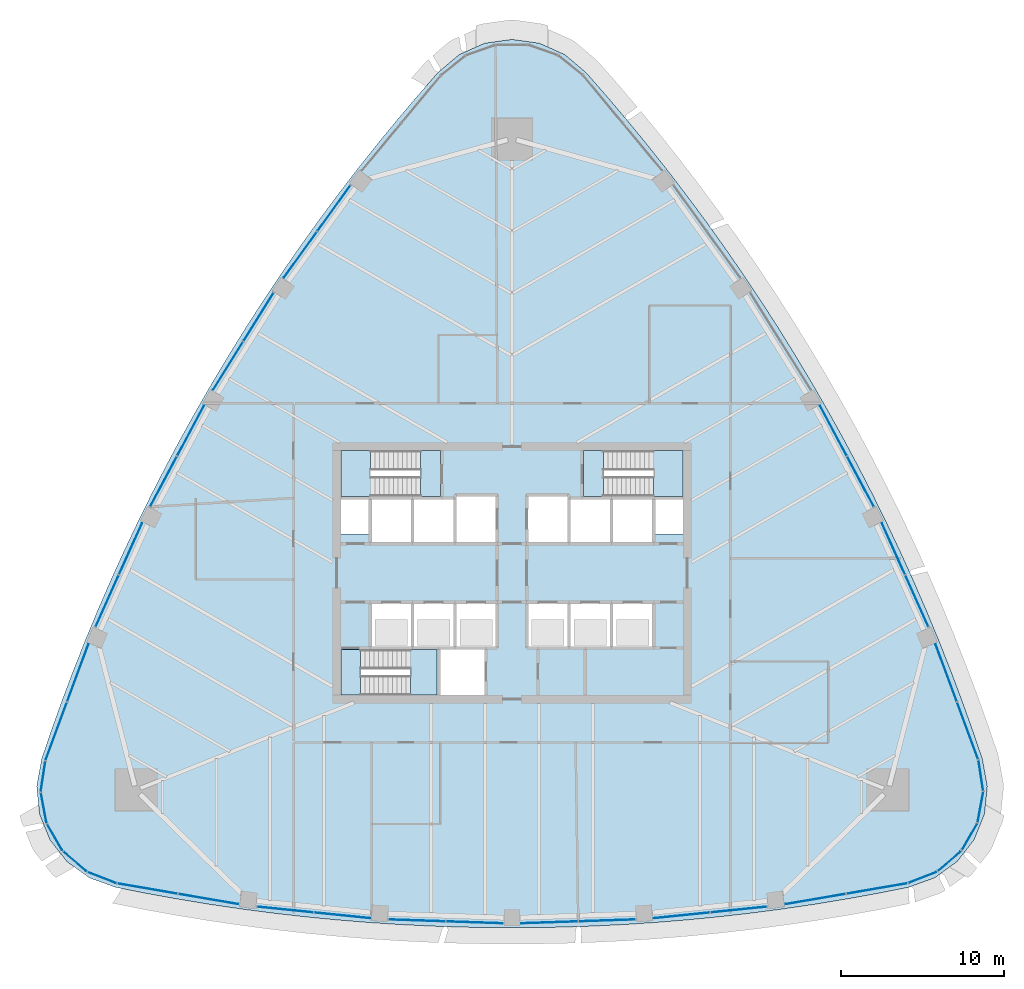
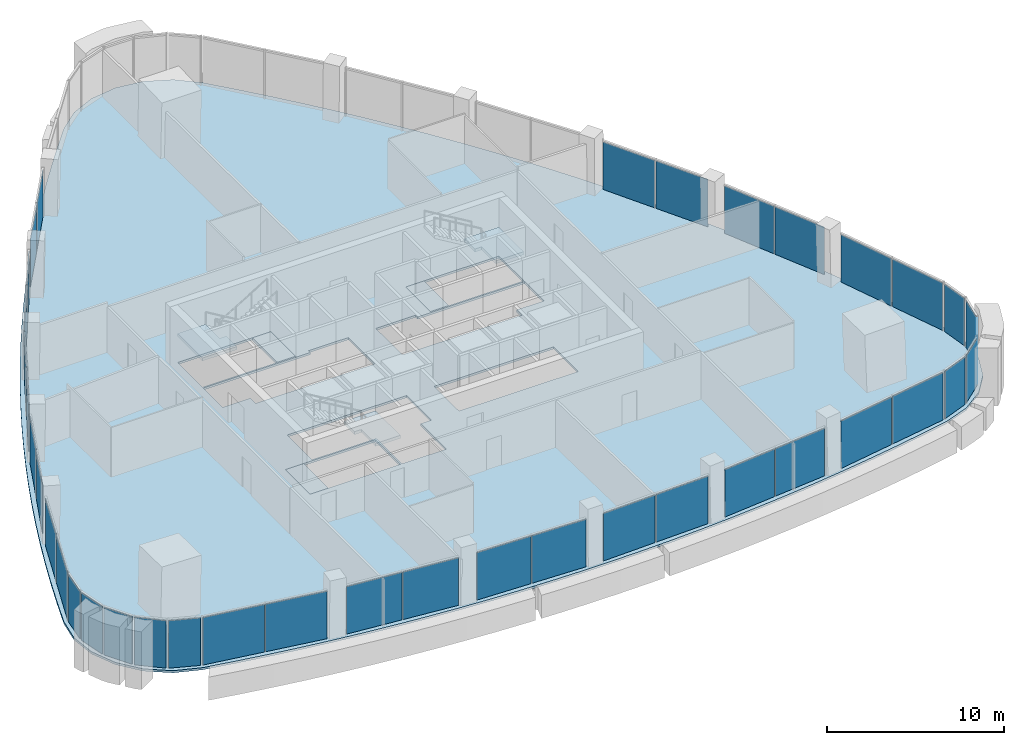
# One storey, part 8 of 16: 38 plates, 7 slabs, 27 elements without a shape of their own.
"""IFC4 building model written with IfcOpenShell, lengths in metres."""

from ifc_helpers import new_model, si_unit, direction, frame, origin, origin_2d, place, context, subcontext, project, spatial, polyline, rectangle, outline, extrude, material, layer, layer_set, type_object, element, aggregate, save


model = new_model("IFC4")

# Units and contexts
model_context = context("Model", 3, precision=1e-05, world=origin(), true_north=direction((0.0, 1.0)))
body_context = subcontext(model_context, "Body", "Model", "MODEL_VIEW")
ifc_project = project(units=[si_unit("LENGTHUNIT", "METRE"), si_unit("AREAUNIT", "SQUARE_METRE"), si_unit("VOLUMEUNIT", "CUBIC_METRE"), si_unit("PLANEANGLEUNIT", "RADIAN"), si_unit("MASSUNIT", "GRAM", prefix="KILO")], contexts=[model_context])

# Site, building, storey
site_placement = place(None, origin())
site = spatial("IfcSite", under=ifc_project, at=site_placement, CompositionType="ELEMENT")
building_placement = place(site_placement, origin())
building = spatial("IfcBuilding", under=site, at=building_placement, Name="Sierra Prisma Convention Tower", CompositionType="ELEMENT")
storey_placement = place(building_placement, frame((0.0, 0.0, 197.800048828125)))
storey = spatial("IfcBuildingStorey", under=building, at=storey_placement, Name="L44", CompositionType="ELEMENT", Elevation=197.800048828125)

# Curtain wall, plates
ifc_material_1 = material(Name="Aluminium and glass curtain wall", Category="aluminium")
ifc_layer_1 = layer(ifc_material_1, 0.179931640625)
ifc_layer_set_1 = layer_set([ifc_layer_1], Name="CW-1 Plain shaft curtain wall")
curtain_wall_type = type_object("IfcCurtainWallType", Name="CW-1 Plain shaft curtain wall", PredefinedType="NOTDEFINED", material=ifc_layer_set_1)
curtain_wall_1_placement = place(storey_placement, origin())
curtain_wall_1 = element("IfcCurtainWall", 1, at=curtain_wall_1_placement, inside=storey, type_object=curtain_wall_type, Name="CW-1 S1 L44", PredefinedType="NOTDEFINED")
ifc_material_2 = material(Name="Tinted glass bronze-grey IGU", Category="glass")
ifc_layer_2 = layer(ifc_material_2, 0.028076171875)
ifc_layer_set_2 = layer_set([ifc_layer_2], Name="CW-1 glass panel")
plate_type = type_object("IfcPlateType", Name="CW-1 glass panel", PredefinedType="CURTAIN_PANEL", material=ifc_layer_set_2)
plate_1_placement = place(storey_placement, frame((-22.35400390625, -19.36279296875, 0.0), z_axis=(0.0, 0.0, 1.0), x_axis=(0.985669671436, -0.168686984713, 0.0)))
plate_1 = element("IfcPlate", 2, at=plate_1_placement, type_object=plate_type, Name="CW-1 panel S1.1", PredefinedType="CURTAIN_PANEL", context=body_context, shape_type="SweptSolid", body=[
    extrude(rectangle(XDim=3.714599609375, YDim=0.028076171875, at=origin_2d()), origin(), (0.0, 0.0, 1.0), 3.280029296875),
])
plate_2_placement = place(storey_placement, frame((-18.623779296875, -20.001220703125, 0.0), z_axis=(0.0, 0.0, 1.0), x_axis=(0.985669671436, -0.168686984713, 0.0)))
plate_2 = element("IfcPlate", 3, at=plate_2_placement, type_object=plate_type, Name="CW-1 panel S1.2", PredefinedType="CURTAIN_PANEL", context=body_context, shape_type="SweptSolid", body=[
    extrude(rectangle(XDim=3.714599609375, YDim=0.028076171875, at=origin_2d()), origin(), (0.0, 0.0, 1.0), 3.280029296875),
])
aggregate(curtain_wall_1, [plate_1, plate_2])

curtain_wall_2_placement = place(storey_placement, origin())
curtain_wall_2 = element("IfcCurtainWall", 4, at=curtain_wall_2_placement, inside=storey, type_object=curtain_wall_type, Name="CW-1 S2 L44", PredefinedType="NOTDEFINED")
plate_3_placement = place(storey_placement, frame((-13.90771484375, -20.647705078125, 0.0), z_axis=(0.0, 0.0, 1.0), x_axis=(0.994833168413, -0.101523233919, 0.0)))
plate_3 = element("IfcPlate", 5, at=plate_3_placement, type_object=plate_type, Name="CW-1 panel S2.1", PredefinedType="CURTAIN_PANEL", context=body_context, shape_type="SweptSolid", body=[
    extrude(rectangle(XDim=3.4423828125, YDim=0.028076171875, at=origin_2d()), origin(), (0.0, 0.0, 1.0), 3.280029296875),
])
plate_4_placement = place(storey_placement, frame((-10.41357421875, -21.00439453125, 0.0), z_axis=(0.0, 0.0, 1.0), x_axis=(0.994833168413, -0.101523233919, 0.0)))
plate_4 = element("IfcPlate", 6, at=plate_4_placement, type_object=plate_type, Name="CW-1 panel S2.2", PredefinedType="CURTAIN_PANEL", context=body_context, shape_type="SweptSolid", body=[
    extrude(rectangle(XDim=3.4423828125, YDim=0.028076171875, at=origin_2d()), origin(), (0.0, 0.0, 1.0), 3.280029296875),
])
aggregate(curtain_wall_2, [plate_3, plate_4])

curtain_wall_3_placement = place(storey_placement, origin())
curtain_wall_3 = element("IfcCurtainWall", 7, at=curtain_wall_3_placement, inside=storey, type_object=curtain_wall_type, Name="CW-1 S3 L44", PredefinedType="NOTDEFINED")
plate_5_placement = place(storey_placement, frame((-5.82421875, -21.3154296875, 0.0), z_axis=(0.0, 0.0, 1.0), x_axis=(0.999425467569, -0.033892990048, 0.0)))
plate_5 = element("IfcPlate", 8, at=plate_5_placement, type_object=plate_type, Name="CW-1 panel S3.1", PredefinedType="CURTAIN_PANEL", context=body_context, shape_type="SweptSolid", body=[
    extrude(rectangle(XDim=3.458251953125, YDim=0.028076171875, at=origin_2d()), origin(), (0.0, 0.0, 1.0), 3.280029296875),
])
plate_6_placement = place(storey_placement, frame((-2.2978515625, -21.434814453125, 0.0), z_axis=(0.0, 0.0, 1.0), x_axis=(0.999425467569, -0.033892990048, 0.0)))
plate_6 = element("IfcPlate", 9, at=plate_6_placement, type_object=plate_type, Name="CW-1 panel S3.2", PredefinedType="CURTAIN_PANEL", context=body_context, shape_type="SweptSolid", body=[
    extrude(rectangle(XDim=3.458251953125, YDim=0.028076171875, at=origin_2d()), origin(), (0.0, 0.0, 1.0), 3.280029296875),
])
aggregate(curtain_wall_3, [plate_5, plate_6])

curtain_wall_4_placement = place(storey_placement, origin())
curtain_wall_4 = element("IfcCurtainWall", 10, at=curtain_wall_4_placement, inside=storey, type_object=curtain_wall_type, Name="CW-1 S4 L44", PredefinedType="NOTDEFINED")
plate_7_placement = place(storey_placement, frame((2.2978515625, -21.434814453125, 0.0), z_axis=(0.0, 0.0, 1.0), x_axis=(0.999425467569, 0.033892990048, 0.0)))
plate_7 = element("IfcPlate", 11, at=plate_7_placement, type_object=plate_type, Name="CW-1 panel S4.1", PredefinedType="CURTAIN_PANEL", context=body_context, shape_type="SweptSolid", body=[
    extrude(rectangle(XDim=3.458251953125, YDim=0.028076171875, at=origin_2d()), origin(), (0.0, 0.0, 1.0), 3.280029296875),
])
plate_8_placement = place(storey_placement, frame((5.82421875, -21.3154296875, 0.0), z_axis=(0.0, 0.0, 1.0), x_axis=(0.999425467569, 0.033892990048, 0.0)))
plate_8 = element("IfcPlate", 12, at=plate_8_placement, type_object=plate_type, Name="CW-1 panel S4.2", PredefinedType="CURTAIN_PANEL", context=body_context, shape_type="SweptSolid", body=[
    extrude(rectangle(XDim=3.458251953125, YDim=0.028076171875, at=origin_2d()), origin(), (0.0, 0.0, 1.0), 3.280029296875),
])
aggregate(curtain_wall_4, [plate_7, plate_8])

curtain_wall_5_placement = place(storey_placement, origin())
curtain_wall_5 = element("IfcCurtainWall", 13, at=curtain_wall_5_placement, inside=storey, type_object=curtain_wall_type, Name="CW-1 S5 L44", PredefinedType="NOTDEFINED")
plate_9_placement = place(storey_placement, frame((10.41357421875, -21.00439453125, 0.0), z_axis=(0.0, 0.0, 1.0), x_axis=(0.994833168413, 0.101523233919, 0.0)))
plate_9 = element("IfcPlate", 14, at=plate_9_placement, type_object=plate_type, Name="CW-1 panel S5.1", PredefinedType="CURTAIN_PANEL", context=body_context, shape_type="SweptSolid", body=[
    extrude(rectangle(XDim=3.4423828125, YDim=0.028076171875, at=origin_2d()), origin(), (0.0, 0.0, 1.0), 3.280029296875),
])
plate_10_placement = place(storey_placement, frame((13.90771484375, -20.647705078125, 0.0), z_axis=(0.0, 0.0, 1.0), x_axis=(0.994833168413, 0.101523233919, 0.0)))
plate_10 = element("IfcPlate", 15, at=plate_10_placement, type_object=plate_type, Name="CW-1 panel S5.2", PredefinedType="CURTAIN_PANEL", context=body_context, shape_type="SweptSolid", body=[
    extrude(rectangle(XDim=3.4423828125, YDim=0.028076171875, at=origin_2d()), origin(), (0.0, 0.0, 1.0), 3.280029296875),
])
aggregate(curtain_wall_5, [plate_9, plate_10])

curtain_wall_6_placement = place(storey_placement, origin())
curtain_wall_6 = element("IfcCurtainWall", 16, at=curtain_wall_6_placement, inside=storey, type_object=curtain_wall_type, Name="CW-1 S6 L44", PredefinedType="NOTDEFINED")
plate_11_placement = place(storey_placement, frame((18.623779296875, -20.001220703125, 0.0), z_axis=(0.0, 0.0, 1.0), x_axis=(0.985669671436, 0.168686984713, 0.0)))
plate_11 = element("IfcPlate", 17, at=plate_11_placement, type_object=plate_type, Name="CW-1 panel S6.1", PredefinedType="CURTAIN_PANEL", context=body_context, shape_type="SweptSolid", body=[
    extrude(rectangle(XDim=3.714599609375, YDim=0.028076171875, at=origin_2d()), origin(), (0.0, 0.0, 1.0), 3.280029296875),
])
plate_12_placement = place(storey_placement, frame((22.35400390625, -19.36279296875, 0.0), z_axis=(0.0, 0.0, 1.0), x_axis=(0.985669671436, 0.168686984713, 0.0)))
plate_12 = element("IfcPlate", 18, at=plate_12_placement, type_object=plate_type, Name="CW-1 panel S6.2", PredefinedType="CURTAIN_PANEL", context=body_context, shape_type="SweptSolid", body=[
    extrude(rectangle(XDim=3.714599609375, YDim=0.028076171875, at=origin_2d()), origin(), (0.0, 0.0, 1.0), 3.280029296875),
])
aggregate(curtain_wall_6, [plate_11, plate_12])

# Curtain wall, plate
curtain_wall_7_placement = place(storey_placement, origin())
curtain_wall_7 = element("IfcCurtainWall", 19, at=curtain_wall_7_placement, inside=storey, type_object=curtain_wall_type, Name="CW-1 SE1 L44", PredefinedType="NOTDEFINED")
plate_13_placement = place(storey_placement, frame((25.166748046875, -18.681396484375, 0.0), z_axis=(0.0, 0.0, 1.0), x_axis=(0.931545163438, 0.363625643314, 0.0)))
plate_13 = element("IfcPlate", 20, at=plate_13_placement, type_object=plate_type, Name="CW-1 panel SE1.1", PredefinedType="CURTAIN_PANEL", context=body_context, shape_type="SweptSolid", body=[
    extrude(rectangle(XDim=1.8203125, YDim=0.028076171875, at=origin_2d()), origin(), (0.0, 0.0, 1.0), 3.280029296875),
])
aggregate(curtain_wall_7, [plate_13])

curtain_wall_8_placement = place(storey_placement, origin())
curtain_wall_8 = element("IfcCurtainWall", 21, at=curtain_wall_8_placement, inside=storey, type_object=curtain_wall_type, Name="CW-1 SE2 L44", PredefinedType="NOTDEFINED")
plate_14_placement = place(storey_placement, frame((26.823486328125, -17.686279296875, 0.0), z_axis=(0.0, 0.0, 1.0), x_axis=(0.758572190744, 0.651589004994, 0.0)))
plate_14 = element("IfcPlate", 22, at=plate_14_placement, type_object=plate_type, Name="CW-1 panel SE2.1", PredefinedType="CURTAIN_PANEL", context=body_context, shape_type="SweptSolid", body=[
    extrude(rectangle(XDim=1.8203125, YDim=0.028076171875, at=origin_2d()), origin(), (0.0, 0.0, 1.0), 3.280029296875),
])
aggregate(curtain_wall_8, [plate_14])

curtain_wall_9_placement = place(storey_placement, origin())
curtain_wall_9 = element("IfcCurtainWall", 23, at=curtain_wall_9_placement, inside=storey, type_object=curtain_wall_type, Name="CW-1 SE3 L44", PredefinedType="NOTDEFINED")
plate_15_placement = place(storey_placement, frame((28.05712890625, -16.19873046875, 0.0), z_axis=(0.0, 0.0, 1.0), x_axis=(0.5, 0.866025403784, 0.0)))
plate_15 = element("IfcPlate", 24, at=plate_15_placement, type_object=plate_type, Name="CW-1 panel SE3.1", PredefinedType="CURTAIN_PANEL", context=body_context, shape_type="SweptSolid", body=[
    extrude(rectangle(XDim=1.8203125, YDim=0.028076171875, at=origin_2d()), origin(), (0.0, 0.0, 1.0), 3.280029296875),
])
aggregate(curtain_wall_9, [plate_15])

curtain_wall_10_placement = place(storey_placement, origin())
curtain_wall_10 = element("IfcCurtainWall", 25, at=curtain_wall_10_placement, inside=storey, type_object=curtain_wall_type, Name="CW-1 SE4 L44", PredefinedType="NOTDEFINED")
plate_16_placement = place(storey_placement, frame((28.728515625, -14.38671875, 0.0), z_axis=(0.0, 0.0, 1.0), x_axis=(0.185006535779, 0.982737290286, 0.0)))
plate_16 = element("IfcPlate", 26, at=plate_16_placement, type_object=plate_type, Name="CW-1 panel SE4.1", PredefinedType="CURTAIN_PANEL", context=body_context, shape_type="SweptSolid", body=[
    extrude(rectangle(XDim=1.8203125, YDim=0.028076171875, at=origin_2d()), origin(), (0.0, 0.0, 1.0), 3.280029296875),
])
aggregate(curtain_wall_10, [plate_16])

curtain_wall_11_placement = place(storey_placement, origin())
curtain_wall_11 = element("IfcCurtainWall", 27, at=curtain_wall_11_placement, inside=storey, type_object=curtain_wall_type, Name="CW-1 SE5 L44", PredefinedType="NOTDEFINED")
plate_17_placement = place(storey_placement, frame((28.761962890625, -12.454345703125, 0.0), z_axis=(0.0, 0.0, 1.0), x_axis=(-0.150863537142, 0.988554597967, 0.0)))
plate_17 = element("IfcPlate", 28, at=plate_17_placement, type_object=plate_type, Name="CW-1 panel SE5.1", PredefinedType="CURTAIN_PANEL", context=body_context, shape_type="SweptSolid", body=[
    extrude(rectangle(XDim=1.8203125, YDim=0.028076171875, at=origin_2d()), origin(), (0.0, 0.0, 1.0), 3.280029296875),
])
aggregate(curtain_wall_11, [plate_17])

# Curtain wall, plates
curtain_wall_12_placement = place(storey_placement, origin())
curtain_wall_12 = element("IfcCurtainWall", 29, at=curtain_wall_12_placement, inside=storey, type_object=curtain_wall_type, Name="CW-1 NE1 L44", PredefinedType="NOTDEFINED")
plate_18_placement = place(storey_placement, frame((27.94580078125, -9.677734375, 0.0), z_axis=(0.0, 0.0, 1.0), x_axis=(-0.346747621669, 0.93795846756, 0.0)))
plate_18 = element("IfcPlate", 30, at=plate_18_placement, type_object=plate_type, Name="CW-1 panel NE1.1", PredefinedType="CURTAIN_PANEL", context=body_context, shape_type="SweptSolid", body=[
    extrude(rectangle(XDim=3.714599609375, YDim=0.028076171875, at=origin_2d()), origin(), (0.0, 0.0, 1.0), 3.280029296875),
])
plate_19_placement = place(storey_placement, frame((26.633544921875, -6.128173828125, 0.0), z_axis=(0.0, 0.0, 1.0), x_axis=(-0.346747621669, 0.93795846756, 0.0)))
plate_19 = element("IfcPlate", 31, at=plate_19_placement, type_object=plate_type, Name="CW-1 panel NE1.2", PredefinedType="CURTAIN_PANEL", context=body_context, shape_type="SweptSolid", body=[
    extrude(rectangle(XDim=3.714599609375, YDim=0.028076171875, at=origin_2d()), origin(), (0.0, 0.0, 1.0), 3.280029296875),
])
aggregate(curtain_wall_12, [plate_18, plate_19])

curtain_wall_13_placement = place(storey_placement, origin())
curtain_wall_13 = element("IfcCurtainWall", 32, at=curtain_wall_13_placement, inside=storey, type_object=curtain_wall_type, Name="CW-1 NE2 L44", PredefinedType="NOTDEFINED")
plate_20_placement = place(storey_placement, frame((24.83544921875, -1.720703125, 0.0), z_axis=(0.0, 0.0, 1.0), x_axis=(-0.409494884559, 0.912312413332, 0.0)))
plate_20 = element("IfcPlate", 33, at=plate_20_placement, type_object=plate_type, Name="CW-1 panel NE2.1", PredefinedType="CURTAIN_PANEL", context=body_context, shape_type="SweptSolid", body=[
    extrude(rectangle(XDim=3.4423828125, YDim=0.028076171875, at=origin_2d()), origin(), (0.0, 0.0, 1.0), 3.280029296875),
])
plate_21_placement = place(storey_placement, frame((23.397216796875, 1.483642578125, 0.0), z_axis=(0.0, 0.0, 1.0), x_axis=(-0.409494884559, 0.912312413332, 0.0)))
plate_21 = element("IfcPlate", 34, at=plate_21_placement, type_object=plate_type, Name="CW-1 panel NE2.2", PredefinedType="CURTAIN_PANEL", context=body_context, shape_type="SweptSolid", body=[
    extrude(rectangle(XDim=3.4423828125, YDim=0.028076171875, at=origin_2d()), origin(), (0.0, 0.0, 1.0), 3.280029296875),
])
aggregate(curtain_wall_13, [plate_20, plate_21])

curtain_wall_14_placement = place(storey_placement, origin())
curtain_wall_14 = element("IfcCurtainWall", 35, at=curtain_wall_14_placement, inside=storey, type_object=curtain_wall_type, Name="CW-1 NE3 L44", PredefinedType="NOTDEFINED")
plate_22_placement = place(storey_placement, frame((21.371826171875, 5.61376953125, 0.0), z_axis=(0.0, 0.0, 1.0), x_axis=(-0.470360543393, 0.882474339128, 0.0)))
plate_22 = element("IfcPlate", 36, at=plate_22_placement, type_object=plate_type, Name="CW-1 panel NE3.1", PredefinedType="CURTAIN_PANEL", context=body_context, shape_type="SweptSolid", body=[
    extrude(rectangle(XDim=3.45849609375, YDim=0.028076171875, at=origin_2d()), origin(), (0.0, 0.0, 1.0), 3.280029296875),
])
plate_23_placement = place(storey_placement, frame((19.712158203125, 8.7275390625, 0.0), z_axis=(0.0, 0.0, 1.0), x_axis=(-0.470360543393, 0.882474339128, 0.0)))
plate_23 = element("IfcPlate", 37, at=plate_23_placement, type_object=plate_type, Name="CW-1 panel NE3.2", PredefinedType="CURTAIN_PANEL", context=body_context, shape_type="SweptSolid", body=[
    extrude(rectangle(XDim=3.45849609375, YDim=0.028076171875, at=origin_2d()), origin(), (0.0, 0.0, 1.0), 3.280029296875),
])
aggregate(curtain_wall_14, [plate_22, plate_23])

curtain_wall_15_placement = place(storey_placement, origin())
curtain_wall_15 = element("IfcCurtainWall", 38, at=curtain_wall_15_placement, inside=storey, type_object=curtain_wall_type, Name="CW-1 NW2 L44", PredefinedType="NOTDEFINED")
plate_24_placement = place(storey_placement, frame((-10.927734375, 22.368408203125, 0.0), z_axis=(0.0, 0.0, 1.0), x_axis=(-0.585338283855, -0.810789179414, 0.0)))
plate_24 = element("IfcPlate", 39, at=plate_24_placement, type_object=plate_type, Name="CW-1 panel NW2.1", PredefinedType="CURTAIN_PANEL", context=body_context, shape_type="SweptSolid", body=[
    extrude(rectangle(XDim=3.4423828125, YDim=0.028076171875, at=origin_2d()), origin(), (0.0, 0.0, 1.0), 3.280029296875),
])
plate_25_placement = place(storey_placement, frame((-12.9833984375, 19.520751953125, 0.0), z_axis=(0.0, 0.0, 1.0), x_axis=(-0.585338283855, -0.810789179414, 0.0)))
plate_25 = element("IfcPlate", 40, at=plate_25_placement, type_object=plate_type, Name="CW-1 panel NW2.2", PredefinedType="CURTAIN_PANEL", context=body_context, shape_type="SweptSolid", body=[
    extrude(rectangle(XDim=3.4423828125, YDim=0.028076171875, at=origin_2d()), origin(), (0.0, 0.0, 1.0), 3.280029296875),
])
aggregate(curtain_wall_15, [plate_24, plate_25])

curtain_wall_16_placement = place(storey_placement, origin())
curtain_wall_16 = element("IfcCurtainWall", 41, at=curtain_wall_16_placement, inside=storey, type_object=curtain_wall_type, Name="CW-1 NW3 L44", PredefinedType="NOTDEFINED")
plate_26_placement = place(storey_placement, frame((-15.547607421875, 15.701416015625, 0.0), z_axis=(0.0, 0.0, 1.0), x_axis=(-0.529064924176, -0.84858134908, 0.0)))
plate_26 = element("IfcPlate", 42, at=plate_26_placement, type_object=plate_type, Name="CW-1 panel NW3.1", PredefinedType="CURTAIN_PANEL", context=body_context, shape_type="SweptSolid", body=[
    extrude(rectangle(XDim=3.458251953125, YDim=0.028076171875, at=origin_2d()), origin(), (0.0, 0.0, 1.0), 3.280029296875),
])
plate_27_placement = place(storey_placement, frame((-17.414306640625, 12.70751953125, 0.0), z_axis=(0.0, 0.0, 1.0), x_axis=(-0.529064924176, -0.84858134908, 0.0)))
plate_27 = element("IfcPlate", 43, at=plate_27_placement, type_object=plate_type, Name="CW-1 panel NW3.2", PredefinedType="CURTAIN_PANEL", context=body_context, shape_type="SweptSolid", body=[
    extrude(rectangle(XDim=3.458251953125, YDim=0.028076171875, at=origin_2d()), origin(), (0.0, 0.0, 1.0), 3.280029296875),
])
aggregate(curtain_wall_16, [plate_26, plate_27])

curtain_wall_17_placement = place(storey_placement, origin())
curtain_wall_17 = element("IfcCurtainWall", 44, at=curtain_wall_17_placement, inside=storey, type_object=curtain_wall_type, Name="CW-1 NW4 L44", PredefinedType="NOTDEFINED")
plate_28_placement = place(storey_placement, frame((-19.712158203125, 8.7275390625, 0.0), z_axis=(0.0, 0.0, 1.0), x_axis=(-0.470360543393, -0.882474339128, 0.0)))
plate_28 = element("IfcPlate", 45, at=plate_28_placement, type_object=plate_type, Name="CW-1 panel NW4.1", PredefinedType="CURTAIN_PANEL", context=body_context, shape_type="SweptSolid", body=[
    extrude(rectangle(XDim=3.458251953125, YDim=0.028076171875, at=origin_2d()), origin(), (0.0, 0.0, 1.0), 3.280029296875),
])
plate_29_placement = place(storey_placement, frame((-21.37158203125, 5.61376953125, 0.0), z_axis=(0.0, 0.0, 1.0), x_axis=(-0.470360543393, -0.882474339128, 0.0)))
plate_29 = element("IfcPlate", 46, at=plate_29_placement, type_object=plate_type, Name="CW-1 panel NW4.2", PredefinedType="CURTAIN_PANEL", context=body_context, shape_type="SweptSolid", body=[
    extrude(rectangle(XDim=3.458251953125, YDim=0.028076171875, at=origin_2d()), origin(), (0.0, 0.0, 1.0), 3.280029296875),
])
aggregate(curtain_wall_17, [plate_28, plate_29])

curtain_wall_18_placement = place(storey_placement, origin())
curtain_wall_18 = element("IfcCurtainWall", 47, at=curtain_wall_18_placement, inside=storey, type_object=curtain_wall_type, Name="CW-1 NW5 L44", PredefinedType="NOTDEFINED")
plate_30_placement = place(storey_placement, frame((-23.397216796875, 1.483642578125, 0.0), z_axis=(0.0, 0.0, 1.0), x_axis=(-0.409494884559, -0.912312413332, 0.0)))
plate_30 = element("IfcPlate", 48, at=plate_30_placement, type_object=plate_type, Name="CW-1 panel NW5.1", PredefinedType="CURTAIN_PANEL", context=body_context, shape_type="SweptSolid", body=[
    extrude(rectangle(XDim=3.4423828125, YDim=0.028076171875, at=origin_2d()), origin(), (0.0, 0.0, 1.0), 3.280029296875),
])
plate_31_placement = place(storey_placement, frame((-24.83544921875, -1.720703125, 0.0), z_axis=(0.0, 0.0, 1.0), x_axis=(-0.409494884559, -0.912312413332, 0.0)))
plate_31 = element("IfcPlate", 49, at=plate_31_placement, type_object=plate_type, Name="CW-1 panel NW5.2", PredefinedType="CURTAIN_PANEL", context=body_context, shape_type="SweptSolid", body=[
    extrude(rectangle(XDim=3.4423828125, YDim=0.028076171875, at=origin_2d()), origin(), (0.0, 0.0, 1.0), 3.280029296875),
])
aggregate(curtain_wall_18, [plate_30, plate_31])

curtain_wall_19_placement = place(storey_placement, origin())
curtain_wall_19 = element("IfcCurtainWall", 50, at=curtain_wall_19_placement, inside=storey, type_object=curtain_wall_type, Name="CW-1 NW6 L44", PredefinedType="NOTDEFINED")
plate_32_placement = place(storey_placement, frame((-26.633544921875, -6.128173828125, 0.0), z_axis=(0.0, 0.0, 1.0), x_axis=(-0.346747621669, -0.93795846756, 0.0)))
plate_32 = element("IfcPlate", 51, at=plate_32_placement, type_object=plate_type, Name="CW-1 panel NW6.1", PredefinedType="CURTAIN_PANEL", context=body_context, shape_type="SweptSolid", body=[
    extrude(rectangle(XDim=3.714599609375, YDim=0.028076171875, at=origin_2d()), origin(), (0.0, 0.0, 1.0), 3.280029296875),
])
plate_33_placement = place(storey_placement, frame((-27.94580078125, -9.677734375, 0.0), z_axis=(0.0, 0.0, 1.0), x_axis=(-0.346747621669, -0.93795846756, 0.0)))
plate_33 = element("IfcPlate", 52, at=plate_33_placement, type_object=plate_type, Name="CW-1 panel NW6.2", PredefinedType="CURTAIN_PANEL", context=body_context, shape_type="SweptSolid", body=[
    extrude(rectangle(XDim=3.714599609375, YDim=0.028076171875, at=origin_2d()), origin(), (0.0, 0.0, 1.0), 3.280029296875),
])
aggregate(curtain_wall_19, [plate_32, plate_33])

# Curtain wall, plate
curtain_wall_20_placement = place(storey_placement, origin())
curtain_wall_20 = element("IfcCurtainWall", 53, at=curtain_wall_20_placement, inside=storey, type_object=curtain_wall_type, Name="CW-1 SW1 L44", PredefinedType="NOTDEFINED")
plate_34_placement = place(storey_placement, frame((-28.761962890625, -12.454345703125, 0.0), z_axis=(0.0, 0.0, 1.0), x_axis=(-0.150863537142, -0.988554597967, 0.0)))
plate_34 = element("IfcPlate", 54, at=plate_34_placement, type_object=plate_type, Name="CW-1 panel SW1.1", PredefinedType="CURTAIN_PANEL", context=body_context, shape_type="SweptSolid", body=[
    extrude(rectangle(XDim=1.8203125, YDim=0.028076171875, at=origin_2d()), origin(), (0.0, 0.0, 1.0), 3.280029296875),
])
aggregate(curtain_wall_20, [plate_34])

curtain_wall_21_placement = place(storey_placement, origin())
curtain_wall_21 = element("IfcCurtainWall", 55, at=curtain_wall_21_placement, inside=storey, type_object=curtain_wall_type, Name="CW-1 SW2 L44", PredefinedType="NOTDEFINED")
plate_35_placement = place(storey_placement, frame((-28.728515625, -14.38671875, 0.0), z_axis=(0.0, 0.0, 1.0), x_axis=(0.185006535779, -0.982737290286, 0.0)))
plate_35 = element("IfcPlate", 56, at=plate_35_placement, type_object=plate_type, Name="CW-1 panel SW2.1", PredefinedType="CURTAIN_PANEL", context=body_context, shape_type="SweptSolid", body=[
    extrude(rectangle(XDim=1.8203125, YDim=0.028076171875, at=origin_2d()), origin(), (0.0, 0.0, 1.0), 3.280029296875),
])
aggregate(curtain_wall_21, [plate_35])

curtain_wall_22_placement = place(storey_placement, origin())
curtain_wall_22 = element("IfcCurtainWall", 57, at=curtain_wall_22_placement, inside=storey, type_object=curtain_wall_type, Name="CW-1 SW3 L44", PredefinedType="NOTDEFINED")
plate_36_placement = place(storey_placement, frame((-28.05712890625, -16.19873046875, 0.0), z_axis=(0.0, 0.0, 1.0), x_axis=(0.5, -0.866025403784, 0.0)))
plate_36 = element("IfcPlate", 58, at=plate_36_placement, type_object=plate_type, Name="CW-1 panel SW3.1", PredefinedType="CURTAIN_PANEL", context=body_context, shape_type="SweptSolid", body=[
    extrude(rectangle(XDim=1.8203125, YDim=0.028076171875, at=origin_2d()), origin(), (0.0, 0.0, 1.0), 3.280029296875),
])
aggregate(curtain_wall_22, [plate_36])

curtain_wall_23_placement = place(storey_placement, origin())
curtain_wall_23 = element("IfcCurtainWall", 59, at=curtain_wall_23_placement, inside=storey, type_object=curtain_wall_type, Name="CW-1 SW4 L44", PredefinedType="NOTDEFINED")
plate_37_placement = place(storey_placement, frame((-26.823486328125, -17.686279296875, 0.0), z_axis=(0.0, 0.0, 1.0), x_axis=(0.758572190744, -0.651589004994, 0.0)))
plate_37 = element("IfcPlate", 60, at=plate_37_placement, type_object=plate_type, Name="CW-1 panel SW4.1", PredefinedType="CURTAIN_PANEL", context=body_context, shape_type="SweptSolid", body=[
    extrude(rectangle(XDim=1.8203125, YDim=0.028076171875, at=origin_2d()), origin(), (0.0, 0.0, 1.0), 3.280029296875),
])
aggregate(curtain_wall_23, [plate_37])

curtain_wall_24_placement = place(storey_placement, origin())
curtain_wall_24 = element("IfcCurtainWall", 61, at=curtain_wall_24_placement, inside=storey, type_object=curtain_wall_type, Name="CW-1 SW5 L44", PredefinedType="NOTDEFINED")
plate_38_placement = place(storey_placement, frame((-25.166748046875, -18.681396484375, 0.0), z_axis=(0.0, 0.0, 1.0), x_axis=(0.931545163438, -0.363625643314, 0.0)))
plate_38 = element("IfcPlate", 62, at=plate_38_placement, type_object=plate_type, Name="CW-1 panel SW5.1", PredefinedType="CURTAIN_PANEL", context=body_context, shape_type="SweptSolid", body=[
    extrude(rectangle(XDim=1.8203125, YDim=0.028076171875, at=origin_2d()), origin(), (0.0, 0.0, 1.0), 3.280029296875),
])
aggregate(curtain_wall_24, [plate_38])

# Slab
ifc_material_3 = material(Name="Concrete C35/45", Category="concrete")
ifc_layer_3 = layer(ifc_material_3, 0.14990234375)
ifc_layer_set_3 = layer_set([ifc_layer_3], Name="Composite floor slab 150")
slab_type_1 = type_object("IfcSlabType", Name="Composite floor slab 150", PredefinedType="FLOOR", material=ifc_layer_set_3)
slab_1_placement = place(storey_placement, frame((0.0, 0.0, -0.150146484375)))
element("IfcSlab", 63, at=slab_1_placement, inside=storey, type_object=slab_type_1, Name="Floor slab L44 floor", PredefinedType="FLOOR", context=body_context, shape_type="SweptSolid", body=[
    extrude(outline(polyline([(-24.30419921875, -19.28271484375), (-22.3837890625, -19.662353515625), (-20.457275390625, -20.010986328125), (-18.525146484375, -20.328125), (-16.58837890625, -20.61376953125), (-14.647216796875, -20.867919921875), (-12.7021484375, -21.090576171875), (-10.753662109375, -21.28125), (-8.80224609375, -21.4404296875), (-6.8486328125, -21.56787109375), (-4.89306640625, -21.663330078125), (-2.9365234375, -21.72705078125), (-0.97900390625, -21.7587890625), (0.97900390625, -21.7587890625), (2.9365234375, -21.72705078125), (4.89306640625, -21.663330078125), (6.8486328125, -21.56787109375), (8.80224609375, -21.4404296875), (10.753662109375, -21.28125), (12.7021484375, -21.090576171875), (14.647216796875, -20.867919921875), (16.58837890625, -20.61376953125), (18.525146484375, -20.328125), (20.457275390625, -20.010986328125), (22.3837890625, -19.662353515625), (24.30419921875, -19.28271484375), (25.910400390625, -18.707275390625), (27.293701171875, -17.70849609375), (28.345458984375, -16.365234375), (28.98291015625, -14.78271484375), (29.156005859375, -13.08544921875), (28.851318359375, -11.40673828125), (28.219970703125, -9.5537109375), (27.55859375, -7.7109375), (26.867431640625, -5.879150390625), (26.146240234375, -4.05908203125), (25.395751953125, -2.250732421875), (24.615966796875, -0.455078125), (23.806884765625, 1.327880859375), (22.968994140625, 3.09716796875), (22.1025390625, 4.852783203125), (21.20751953125, 6.593994140625), (20.284423828125, 8.320556640625), (19.333251953125, 10.03173828125), (18.354248046875, 11.727294921875), (17.347900390625, 13.406494140625), (16.314453125, 15.0693359375), (15.25390625, 16.715087890625), (14.166748046875, 18.34326171875), (13.053466796875, 19.95361328125), (11.913818359375, 21.545654296875), (10.74853515625, 23.118896484375), (9.557861328125, 24.6728515625), (8.342041015625, 26.20751953125), (7.1015625, 27.721923828125), (5.83642578125, 29.216064453125), (4.547119140625, 30.689453125), (3.24560546875, 31.792724609375), (1.689208984375, 32.4912109375), (0.0, 32.73046875), (-1.689208984375, 32.4912109375), (-3.24560546875, 31.792724609375), (-4.547119140625, 30.689453125), (-5.83642578125, 29.216064453125), (-7.1015625, 27.721923828125), (-8.342041015625, 26.20751953125), (-9.557861328125, 24.6728515625), (-10.74853515625, 23.118896484375), (-11.913818359375, 21.545654296875), (-13.053466796875, 19.95361328125), (-14.166748046875, 18.34326171875), (-15.25390625, 16.715087890625), (-16.314453125, 15.0693359375), (-17.347900390625, 13.406494140625), (-18.354248046875, 11.727294921875), (-19.333251953125, 10.03173828125), (-20.284423828125, 8.320556640625), (-21.20751953125, 6.593994140625), (-22.1025390625, 4.852783203125), (-22.968994140625, 3.09716796875), (-23.806884765625, 1.327880859375), (-24.615966796875, -0.455078125), (-25.395751953125, -2.250732421875), (-26.146240234375, -4.05908203125), (-26.867431640625, -5.879150390625), (-27.55859375, -7.7109375), (-28.219970703125, -9.5537109375), (-28.851318359375, -11.40673828125), (-29.156005859375, -13.08544921875), (-28.98291015625, -14.78271484375), (-28.345458984375, -16.365234375), (-27.293701171875, -17.70849609375), (-25.910400390625, -18.707275390625), (-24.30419921875, -19.28271484375)]), holes=[polyline([(-4.60009765625, -7.5), (-10.5, -7.5), (-10.5, -4.699951171875), (-4.60009765625, -4.699951171875), (-4.60009765625, -7.5)]), polyline([(-8.699951171875, -4.60009765625), (-8.699951171875, -1.800048828125), (-6.10009765625, -1.800048828125), (-3.5, -1.800048828125), (-0.89990234375, -1.800048828125), (-0.89990234375, -4.60009765625), (-1.60009765625, -4.60009765625), (-1.60009765625, -7.5), (-4.5, -7.5), (-4.5, -4.60009765625), (-6.10009765625, -4.60009765625), (-8.699951171875, -4.60009765625)]), polyline([(-10.5, 4.60009765625), (-8.699951171875, 4.60009765625), (-6.10009765625, 4.60009765625), (-3.5, 4.60009765625), (-3.5, 4.800048828125), (-0.89990234375, 4.800048828125), (-0.89990234375, 1.800048828125), (-3.5, 1.800048828125), (-6.10009765625, 1.800048828125), (-8.699951171875, 1.800048828125), (-8.699951171875, 2.39990234375), (-10.5, 2.39990234375), (-10.5, 4.60009765625)]), polyline([(-10.5, 4.699951171875), (-10.5, 7.5), (-4.39990234375, 7.5), (-4.39990234375, 4.699951171875), (-10.5, 4.699951171875)]), polyline([(6.10009765625, -1.800048828125), (8.699951171875, -1.800048828125), (8.699951171875, -4.60009765625), (6.10009765625, -4.60009765625), (3.5, -4.60009765625), (0.89990234375, -4.60009765625), (0.89990234375, -1.800048828125), (3.5, -1.800048828125), (6.10009765625, -1.800048828125)]), polyline([(8.699951171875, 4.60009765625), (10.5, 4.60009765625), (10.5, 2.39990234375), (8.699951171875, 2.39990234375), (8.699951171875, 1.800048828125), (6.10009765625, 1.800048828125), (3.5, 1.800048828125), (0.89990234375, 1.800048828125), (0.89990234375, 4.800048828125), (3.5, 4.800048828125), (3.5, 4.60009765625), (6.10009765625, 4.60009765625), (8.699951171875, 4.60009765625)]), polyline([(4.39990234375, 4.699951171875), (4.39990234375, 7.5), (10.5, 7.5), (10.5, 4.699951171875), (4.39990234375, 4.699951171875)])]), origin(), (0.0, 0.0, 1.0), 0.150146484375),
])

# Stair, slab
ifc_material_4 = material(Name="Concrete C30/37", Category="concrete")
stair_type = type_object("IfcStairType", Name="Stair dog-leg 1200 RC", PredefinedType="HALF_TURN_STAIR", material=ifc_material_4)
stair_1_placement = place(storey_placement, origin())
stair_1 = element("IfcStair", 64, at=stair_1_placement, inside=storey, type_object=stair_type, Name="L44 S1", PredefinedType="HALF_TURN_STAIR")
ifc_material_5 = material(Name="Concrete C35/45", Category="concrete")
ifc_layer_4 = layer(ifc_material_5, 0.199951171875)
ifc_layer_set_4 = layer_set([ifc_layer_4], Name="Stair landing slab")
slab_type_2 = type_object("IfcSlabType", Name="Stair landing slab", PredefinedType="LANDING", material=ifc_layer_set_4)
slab_2_placement = place(storey_placement, frame((0.0, 0.0, 1.800048828125)))
slab_2 = element("IfcSlab", 65, at=slab_2_placement, type_object=slab_type_2, Name="S1 landing 1", PredefinedType="LANDING", context=body_context, shape_type="SweptSolid", body=[
    extrude(outline(polyline([(-4.60009765625, -4.699951171875), (-4.60009765625, -7.5), (-6.221923828125, -7.5), (-6.221923828125, -5.89990234375), (-6.669921875, -5.89990234375), (-6.669921875, -4.699951171875), (-4.60009765625, -4.699951171875)])), origin(), (0.0, 0.0, 1.0), 0.199951171875),
])
aggregate(stair_1, [slab_2])

# Slab
slab_3_placement = place(storey_placement, frame((0.0, 0.0, -0.199951171875)))
element("IfcSlab", 66, at=slab_3_placement, inside=storey, type_object=slab_type_2, Name="S1 floor landing L44", PredefinedType="LANDING", context=body_context, shape_type="SweptSolid", body=[
    extrude(outline(polyline([(-10.5, -7.5), (-9.298095703125, -7.5), (-9.298095703125, -4.699951171875), (-10.5, -4.699951171875), (-10.5, -7.5)])), origin(), (0.0, 0.0, 1.0), 0.199951171875),
])

# Stair, slab
stair_2_placement = place(storey_placement, origin())
stair_2 = element("IfcStair", 67, at=stair_2_placement, inside=storey, type_object=stair_type, Name="L44 S3", PredefinedType="HALF_TURN_STAIR")
slab_4_placement = place(storey_placement, frame((0.0, 0.0, 1.800048828125)))
slab_4 = element("IfcSlab", 68, at=slab_4_placement, type_object=slab_type_2, Name="S3 landing 1", PredefinedType="LANDING", context=body_context, shape_type="SweptSolid", body=[
    extrude(outline(polyline([(-8.22998046875, 5.89990234375), (-8.22998046875, 4.699951171875), (-10.5, 4.699951171875), (-10.5, 7.5), (-8.677978515625, 7.5), (-8.677978515625, 5.89990234375), (-8.22998046875, 5.89990234375)])), origin(), (0.0, 0.0, 1.0), 0.199951171875),
])
aggregate(stair_2, [slab_4])

# Slab
slab_5_placement = place(storey_placement, frame((0.0, 0.0, -0.199951171875)))
element("IfcSlab", 69, at=slab_5_placement, inside=storey, type_object=slab_type_2, Name="S3 floor landing L44", PredefinedType="LANDING", context=body_context, shape_type="SweptSolid", body=[
    extrude(outline(polyline([(-4.39990234375, 7.5), (-5.60205078125, 7.5), (-5.60205078125, 4.699951171875), (-4.39990234375, 4.699951171875), (-4.39990234375, 7.5)])), origin(), (0.0, 0.0, 1.0), 0.199951171875),
])

# Stair, slab
stair_3_placement = place(storey_placement, origin())
stair_3 = element("IfcStair", 70, at=stair_3_placement, inside=storey, type_object=stair_type, Name="L44 S4", PredefinedType="HALF_TURN_STAIR")
slab_6_placement = place(storey_placement, frame((0.0, 0.0, 1.800048828125)))
slab_6 = element("IfcSlab", 71, at=slab_6_placement, type_object=slab_type_2, Name="S4 landing 1", PredefinedType="LANDING", context=body_context, shape_type="SweptSolid", body=[
    extrude(outline(polyline([(10.5, 7.5), (10.5, 4.699951171875), (8.677978515625, 4.699951171875), (8.677978515625, 6.300048828125), (8.22998046875, 6.300048828125), (8.22998046875, 7.5), (10.5, 7.5)])), origin(), (0.0, 0.0, 1.0), 0.199951171875),
])
aggregate(stair_3, [slab_6])

# Slab
slab_7_placement = place(storey_placement, frame((0.0, 0.0, -0.199951171875)))
element("IfcSlab", 72, at=slab_7_placement, inside=storey, type_object=slab_type_2, Name="S4 floor landing L44", PredefinedType="LANDING", context=body_context, shape_type="SweptSolid", body=[
    extrude(outline(polyline([(4.39990234375, 4.699951171875), (5.60205078125, 4.699951171875), (5.60205078125, 7.5), (4.39990234375, 7.5), (4.39990234375, 4.699951171875)])), origin(), (0.0, 0.0, 1.0), 0.199951171875),
])

save(model, "model.ifc")
